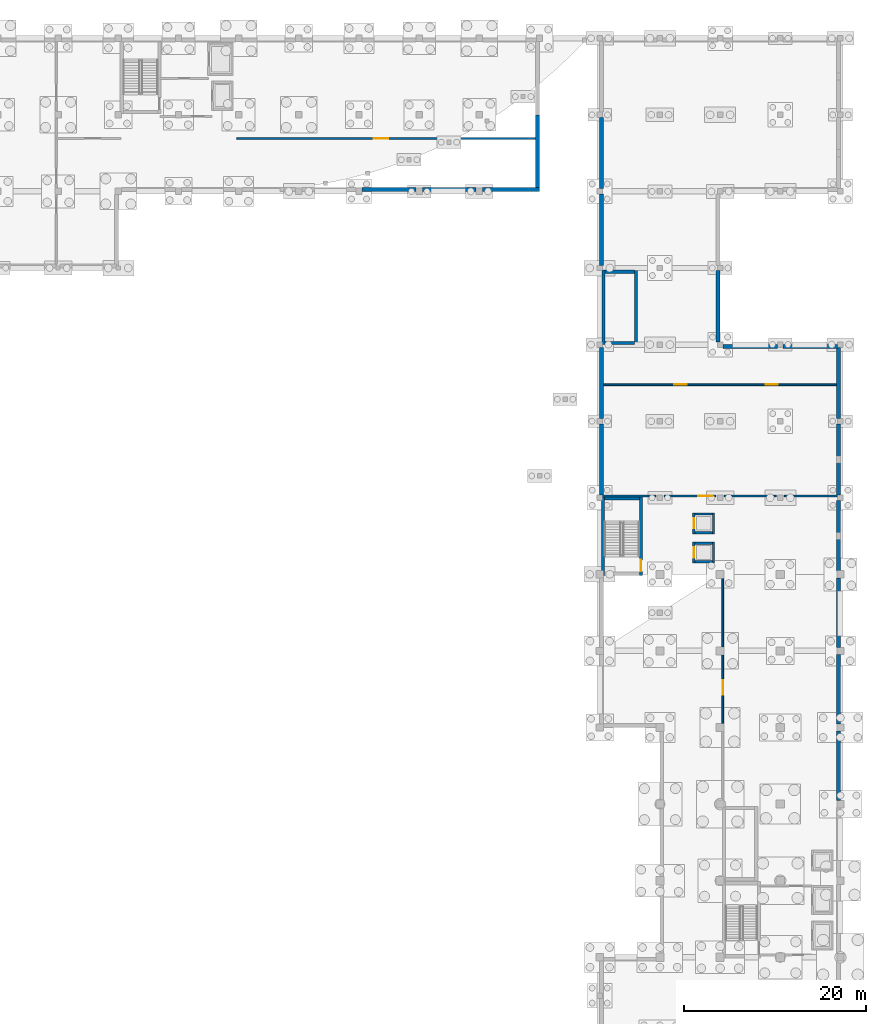
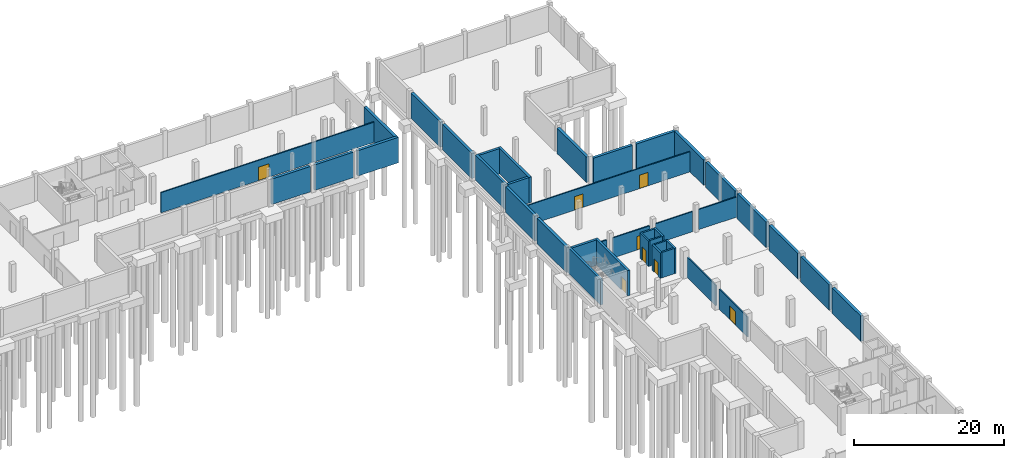
# One storey, part 17 of 25: 40 walls, 8 doors, 8 openings.
"""IFC4 building model written with IfcOpenShell, lengths in metres."""

from ifc_helpers import new_model, si_unit, direction, frame, frame_2d, origin, place, context, subcontext, project, spatial, rectangle, extrude, material, layer, layer_set, type_object, element, fill, save


model = new_model("IFC4")

# Units and contexts
model_context = context("Model", 3, precision=1e-05, world=origin(), true_north=direction((0.0, 1.0)))
body_context = subcontext(model_context, "Body", "Model", "MODEL_VIEW")
ifc_project = project(units=[si_unit("LENGTHUNIT", "METRE"), si_unit("AREAUNIT", "SQUARE_METRE"), si_unit("VOLUMEUNIT", "CUBIC_METRE"), si_unit("PLANEANGLEUNIT", "RADIAN"), si_unit("MASSUNIT", "GRAM", prefix="KILO")], contexts=[model_context])

# Site, building, storey
site_placement = place(None, origin())
site = spatial("IfcSite", under=ifc_project, at=site_placement, CompositionType="ELEMENT")
building_placement = place(site_placement, origin())
building = spatial("IfcBuilding", under=site, at=building_placement, Name="Qaldarim Faculty of Natural and Applied Sciences", CompositionType="ELEMENT")
storey_placement = place(building_placement, frame((0.0, 0.0, -4.5)))
storey = spatial("IfcBuildingStorey", under=building, at=storey_placement, Name="B01", CompositionType="ELEMENT", Elevation=-4.5)

# Walls
ifc_material_1 = material(Name="Concrete C40/50", Category="concrete")
ifc_layer_1 = layer(ifc_material_1, 0.419921875)
ifc_layer_set_1 = layer_set([ifc_layer_1], Name="Concrete C40/50")
wall_type_1 = type_object("IfcWallType", Name="BasementRetainingWall-420", PredefinedType="SOLIDWALL", material=ifc_layer_set_1)
for number, where, z_axis, x_axis, name in (
    (1, (125.7451171875, 101.010009765625, 0.0), (0.0, 0.0, 1.0), (1.0, 0.0, 0.0), "Basement retaining wall S X20Y13"),
    (2, (132.344970703125, 101.010009765625, 0.0), (0.0, 0.0, 1.0), (1.0, 0.0, 0.0), "Basement retaining wall S X21Y13"),
):
    element("IfcWall", number, at=place(storey_placement, frame(where, z_axis=z_axis, x_axis=x_axis)), inside=storey, type_object=wall_type_1, Name=name, PredefinedType="SOLIDWALL", context=body_context, shape_type="SweptSolid", body=[
        extrude(rectangle(XDim=5.909912109375, YDim=0.419921875, at=frame_2d((2.955078125, 0.0))), origin(), (0.0, 0.0, 1.0), 4.139892578125),
    ])
wall_1_placement = place(storey_placement, frame((138.945068359375, 101.010009765625, 0.0), z_axis=(0.0, 0.0, 1.0), x_axis=(1.0, 0.0, 0.0)))
element("IfcWall", 3, at=wall_1_placement, inside=storey, type_object=wall_type_1, Name="Basement retaining wall S X22Y13", PredefinedType="SOLIDWALL", context=body_context, shape_type="SweptSolid", body=[
    extrude(rectangle(XDim=6.2548828125, YDim=0.419921875, at=frame_2d((3.12744140625, 0.0))), origin(), (0.0, 0.0, 1.0), 4.139892578125),
])
wall_2_placement = place(storey_placement, frame((144.989990234375, 100.800048828125, 0.0), z_axis=(0.0, 0.0, 1.0), x_axis=(0.0, 1.0, 0.0)))
element("IfcWall", 4, at=wall_2_placement, inside=storey, type_object=wall_type_1, Name="Basement retaining wall E X22Y13", PredefinedType="SOLIDWALL", context=body_context, shape_type="SweptSolid", body=[
    extrude(rectangle(XDim=8.39990234375, YDim=0.419921875, at=frame_2d((4.199951171875, 0.0))), origin(), (0.0, 0.0, 1.0), 4.139892578125),
])
wall_3_placement = place(storey_placement, frame((152.010009765625, 75.304931640625, 0.0), z_axis=(0.0, 0.0, 1.0), x_axis=(0.0, -1.0, 0.0)))
element("IfcWall", 5, at=wall_3_placement, inside=storey, type_object=wall_type_1, Name="Basement retaining wall W X24Y09", PredefinedType="SOLIDWALL", context=body_context, shape_type="SweptSolid", body=[
    extrude(rectangle(XDim=7.809814453125, YDim=0.419921875, at=frame_2d((3.90478515625, 0.0))), origin(), (0.0, 0.0, 1.0), 4.139892578125),
])
wall_4_placement = place(storey_placement, frame((152.010009765625, 83.705078125, 0.0), z_axis=(0.0, 0.0, 1.0), x_axis=(0.0, -1.0, 0.0)))
element("IfcWall", 6, at=wall_4_placement, inside=storey, type_object=wall_type_1, Name="Basement retaining wall W X24Y10", PredefinedType="SOLIDWALL", context=body_context, shape_type="SweptSolid", body=[
    extrude(rectangle(XDim=7.81005859375, YDim=0.419921875, at=frame_2d((3.905029296875, 0.0))), origin(), (0.0, 0.0, 1.0), 4.139892578125),
])
wall_5_placement = place(storey_placement, frame((152.010009765625, 100.5048828125, 0.0), z_axis=(0.0, 0.0, 1.0), x_axis=(0.0, -1.0, 0.0)))
element("IfcWall", 7, at=wall_5_placement, inside=storey, type_object=wall_type_1, Name="Basement retaining wall W X24Y12", PredefinedType="SOLIDWALL", context=body_context, shape_type="SweptSolid", body=[
    extrude(rectangle(XDim=7.809814453125, YDim=0.419921875, at=frame_2d((3.90478515625, 0.0))), origin(), (0.0, 0.0, 1.0), 4.139892578125),
])
for number, where, z_axis, x_axis, name in (
    (8, (152.010009765625, 108.905029296875, 0.0), (0.0, 0.0, 1.0), (0.0, -1.0, 0.0), "Basement retaining wall W X24Y13"),
    (9, (164.7900390625, 84.294921875, 0.0), (0.0, 0.0, 1.0), (0.0, 1.0, 0.0), "Basement retaining wall E X25Y11"),
):
    element("IfcWall", number, at=place(storey_placement, frame(where, z_axis=z_axis, x_axis=x_axis)), inside=storey, type_object=wall_type_1, Name=name, PredefinedType="SOLIDWALL", context=body_context, shape_type="SweptSolid", body=[
        extrude(rectangle(XDim=7.81005859375, YDim=0.419921875, at=frame_2d((3.905029296875, 0.0))), origin(), (0.0, 0.0, 1.0), 4.139892578125),
    ])
wall_6_placement = place(storey_placement, frame((171.304931640625, 83.7900390625, 0.0), z_axis=(0.0, 0.0, 1.0), x_axis=(-1.0, 0.0, 0.0)))
element("IfcWall", 10, at=wall_6_placement, inside=storey, type_object=wall_type_1, Name="Basement retaining wall N X26Y10", PredefinedType="SOLIDWALL", context=body_context, shape_type="SweptSolid", body=[
    extrude(rectangle(XDim=6.010009765625, YDim=0.419921875, at=frame_2d((3.0048828125, 0.0))), origin(), (0.0, 0.0, 1.0), 4.139892578125),
])
for number, where, z_axis, x_axis, name in (
    (11, (177.989990234375, 33.9951171875, 0.0), (0.0, 0.0, 1.0), (0.0, 1.0, 0.0), "Basement retaining wall E X27Y05"),
    (12, (177.989990234375, 42.39501953125, 0.0), (0.0, 0.0, 1.0), (0.0, 1.0, 0.0), "Basement retaining wall E X27Y06"),
):
    element("IfcWall", number, at=place(storey_placement, frame(where, z_axis=z_axis, x_axis=x_axis)), inside=storey, type_object=wall_type_1, Name=name, PredefinedType="SOLIDWALL", context=body_context, shape_type="SweptSolid", body=[
        extrude(rectangle(XDim=7.60986328125, YDim=0.419921875, at=frame_2d((3.804931640625, 0.0))), origin(), (0.0, 0.0, 1.0), 4.139892578125),
    ])
wall_7_placement = place(storey_placement, frame((177.989990234375, 50.794921875, 0.0), z_axis=(0.0, 0.0, 1.0), x_axis=(0.0, 1.0, 0.0)))
element("IfcWall", 13, at=wall_7_placement, inside=storey, type_object=wall_type_1, Name="Basement retaining wall E X27Y07", PredefinedType="SOLIDWALL", context=body_context, shape_type="SweptSolid", body=[
    extrude(rectangle(XDim=7.610107421875, YDim=0.419921875, at=frame_2d((3.80517578125, 0.0))), origin(), (0.0, 0.0, 1.0), 4.139892578125),
])
wall_8_placement = place(storey_placement, frame((177.989990234375, 59.195068359375, 0.0), z_axis=(0.0, 0.0, 1.0), x_axis=(0.0, 1.0, 0.0)))
element("IfcWall", 14, at=wall_8_placement, inside=storey, type_object=wall_type_1, Name="Basement retaining wall E X27Y08", PredefinedType="SOLIDWALL", context=body_context, shape_type="SweptSolid", body=[
    extrude(rectangle(XDim=7.7099609375, YDim=0.419921875, at=frame_2d((3.85498046875, 0.0))), origin(), (0.0, 0.0, 1.0), 4.139892578125),
])
wall_9_placement = place(storey_placement, frame((177.989990234375, 67.4951171875, 0.0), z_axis=(0.0, 0.0, 1.0), x_axis=(0.0, 1.0, 0.0)))
element("IfcWall", 15, at=wall_9_placement, inside=storey, type_object=wall_type_1, Name="Basement retaining wall E X27Y09", PredefinedType="SOLIDWALL", context=body_context, shape_type="SweptSolid", body=[
    extrude(rectangle(XDim=7.809814453125, YDim=0.419921875, at=frame_2d((3.90478515625, 0.0))), origin(), (0.0, 0.0, 1.0), 4.139892578125),
])
wall_10_placement = place(storey_placement, frame((177.989990234375, 75.89501953125, 0.0), z_axis=(0.0, 0.0, 1.0), x_axis=(0.0, 1.0, 0.0)))
element("IfcWall", 16, at=wall_10_placement, inside=storey, type_object=wall_type_1, Name="Basement retaining wall E X27Y10", PredefinedType="SOLIDWALL", context=body_context, shape_type="SweptSolid", body=[
    extrude(rectangle(XDim=7.81005859375, YDim=0.419921875, at=frame_2d((3.905029296875, 0.0))), origin(), (0.0, 0.0, 1.0), 4.139892578125),
])
wall_11_placement = place(storey_placement, frame((177.905029296875, 83.7900390625, 0.0), z_axis=(0.0, 0.0, 1.0), x_axis=(-1.0, 0.0, 0.0)))
element("IfcWall", 17, at=wall_11_placement, inside=storey, type_object=wall_type_1, Name="Basement retaining wall N X27Y10", PredefinedType="SOLIDWALL", context=body_context, shape_type="SweptSolid", body=[
    extrude(rectangle(XDim=6.010009765625, YDim=0.419921875, at=frame_2d((3.0048828125, 0.0))), origin(), (0.0, 0.0, 1.0), 4.139892578125),
])
ifc_material_2 = material(Name="Concrete C50/60", Category="concrete")
ifc_layer_2 = layer(ifc_material_2, 0.360107421875)
ifc_layer_set_2 = layer_set([ifc_layer_2], Name="Concrete C50/60")
wall_type_2 = type_object("IfcWallType", Name="CoreShearWall-360", PredefinedType="SHEAR", material=ifc_layer_set_2)
wall_12_placement = place(storey_placement, frame((152.169921875, 58.68994140625, 0.0), z_axis=(0.0, 0.0, 1.0), x_axis=(0.0, 1.0, 0.0)))
element("IfcWall", 18, at=wall_12_placement, inside=storey, type_object=wall_type_2, Name="Core stair ST-C1 west shear wall B01", PredefinedType="SHEAR", context=body_context, shape_type="SweptSolid", body=[
    extrude(rectangle(XDim=8.6201171875, YDim=0.360107421875, at=frame_2d((4.31005859375, 0.0))), origin(), (0.0, 0.0, 1.0), 4.139892578125),
])

# Wall, opening, door
wall_13_placement = place(storey_placement, frame((156.330078125, 58.68994140625, 0.0), z_axis=(0.0, 0.0, 1.0), x_axis=(0.0, 1.0, 0.0)))
wall_13 = element("IfcWall", 19, at=wall_13_placement, inside=storey, type_object=wall_type_2, Name="Core stair ST-C1 east shear wall B01", PredefinedType="SHEAR", context=body_context, shape_type="SweptSolid", body=[
    extrude(rectangle(XDim=8.6201171875, YDim=0.360107421875, at=frame_2d((4.31005859375, 0.0))), origin(), (0.0, 0.0, 1.0), 4.139892578125),
])
opening_1_placement = place(wall_13_placement, frame((0.449951171875, 0.0, 0.0)))
opening_1 = element("IfcOpeningElement", 20, at=opening_1_placement, cuts=wall_13, Name="Opening ID04", PredefinedType="OPENING", context=body_context, shape_type="SweptSolid", body=[
    extrude(rectangle(XDim=1.25, YDim=2.14990234375, at=frame_2d((0.625, 1.074951171875))), frame((0.0, 0.18994140625, 0.0), z_axis=(0.0, -1.0, 0.0), x_axis=(1.0, 0.0, 0.0)), (0.0, 0.0, 1.0), 0.380126953125),
])
ifc_material_3 = material(Name="Architectural stainless steel 316", Category="steel")
door_type_1 = type_object("IfcDoorType", Name="StairEnclosureFireDoor-1250x2150", OperationType="NOTDEFINED", PredefinedType="DOOR", material=ifc_material_3)
door_1_placement = place(opening_1_placement, origin())
door_1 = element("IfcDoor", 21, at=door_1_placement, inside=storey, type_object=door_type_1, Name="Protected stair ST-C1 fire door D-B01-538", OperationType="SINGLE_SWING_LEFT", OverallHeight=2.14990234375, OverallWidth=1.25, PredefinedType="DOOR", context=body_context, shape_type="SweptSolid", body=[
    extrude(rectangle(XDim=1.25, YDim=2.14990234375, at=frame_2d((0.625, 1.074951171875))), frame((0.0, 0.02490234375, 0.0), z_axis=(0.0, -1.0, 0.0), x_axis=(1.0, 0.0, 0.0)), (0.0, 0.0, 1.0), 0.050048828125),
])
fill(opening_1, door_1)

# Walls
wall_14_placement = place(storey_placement, frame((152.35009765625, 67.1298828125, 0.0), z_axis=(0.0, 0.0, 1.0), x_axis=(1.0, 0.0, 0.0)))
element("IfcWall", 22, at=wall_14_placement, inside=storey, type_object=wall_type_2, Name="Core stair ST-C1 north shear wall B01", PredefinedType="SHEAR", context=body_context, shape_type="SweptSolid", body=[
    extrude(rectangle(XDim=3.7998046875, YDim=0.360107421875, at=frame_2d((1.89990234375, 0.0))), origin(), (0.0, 0.0, 1.0), 4.139892578125),
])
for number, where, z_axis, x_axis, name in (
    (23, (152.219970703125, 83.989990234375, 0.0), (0.0, 0.0, 1.0), (0.0, 1.0, 0.0), "Core stair ST-C2 west shear wall B01"),
    (24, (155.780029296875, 83.989990234375, 0.0), (0.0, 0.0, 1.0), (0.0, 1.0, 0.0), "Core stair ST-C2 east shear wall B01"),
):
    element("IfcWall", number, at=place(storey_placement, frame(where, z_axis=z_axis, x_axis=x_axis)), inside=storey, type_object=wall_type_2, Name=name, PredefinedType="SHEAR", context=body_context, shape_type="SweptSolid", body=[
        extrude(rectangle(XDim=8.169921875, YDim=0.360107421875, at=frame_2d((4.0849609375, 0.0))), origin(), (0.0, 0.0, 1.0), 4.139892578125),
    ])
for number, where, z_axis, x_axis, name in (
    (25, (152.39990234375, 91.97998046875, 0.0), (0.0, 0.0, 1.0), (1.0, 0.0, 0.0), "Core stair ST-C2 north shear wall B01"),
    (26, (152.39990234375, 84.169921875, 0.0), (0.0, 0.0, 1.0), (1.0, 0.0, 0.0), "Core stair ST-C2 south shear wall B01"),
):
    element("IfcWall", number, at=place(storey_placement, frame(where, z_axis=z_axis, x_axis=x_axis)), inside=storey, type_object=wall_type_2, Name=name, PredefinedType="SHEAR", context=body_context, shape_type="SweptSolid", body=[
        extrude(rectangle(XDim=3.2001953125, YDim=0.360107421875, at=frame_2d((1.60009765625, 0.0))), origin(), (0.0, 0.0, 1.0), 4.139892578125),
    ])

# Wall, opening, door
ifc_layer_3 = layer(ifc_material_1, 0.179931640625)
ifc_layer_set_3 = layer_set([ifc_layer_3], Name="Concrete C40/50")
wall_type_3 = type_object("IfcWallType", Name="LabFireCompartmentWall-180", PredefinedType="SOLIDWALL", material=ifc_layer_set_3)
wall_15_placement = place(storey_placement, frame((112.0, 106.60009765625, 0.0), z_axis=(0.0, 0.0, 1.0), x_axis=(1.0, 0.0, 0.0)))
wall_15 = element("IfcWall", 27, at=wall_15_placement, inside=storey, type_object=wall_type_3, Name="Interior partition PRT-B01-V4B-CLDN", PredefinedType="SOLIDWALL", context=body_context, shape_type="SweptSolid", body=[
    extrude(rectangle(XDim=33.0, YDim=0.179931640625, at=frame_2d((16.5, 0.0))), origin(), (0.0, 0.0, 1.0), 3.2900390625),
])
opening_2_placement = place(wall_15_placement, frame((15.0, 0.0, 0.0)))
opening_2 = element("IfcOpeningElement", 28, at=opening_2_placement, cuts=wall_15, Name="Opening ID06", PredefinedType="OPENING", context=body_context, shape_type="SweptSolid", body=[
    extrude(rectangle(XDim=1.60009765625, YDim=2.199951171875, at=frame_2d((0.800048828125, 1.10009765625))), frame((0.0, 0.099853515625, 0.0), z_axis=(0.0, -1.0, 0.0), x_axis=(1.0, 0.0, 0.0)), (0.0, 0.0, 1.0), 0.199951171875),
])
door_type_2 = type_object("IfcDoorType", Name="LabEquipmentDoubleDoor-1600x2200", OperationType="NOTDEFINED", PredefinedType="DOOR", material=ifc_material_3)
door_2_placement = place(opening_2_placement, origin())
door_2 = element("IfcDoor", 29, at=door_2_placement, inside=storey, type_object=door_type_2, Name="Interior door D-B01-160", OperationType="DOUBLE_DOOR_SINGLE_SWING", OverallHeight=2.199951171875, OverallWidth=1.60009765625, PredefinedType="DOOR", context=body_context, shape_type="SweptSolid", body=[
    extrude(rectangle(XDim=1.60009765625, YDim=2.199951171875, at=frame_2d((0.800048828125, 1.10009765625))), frame((0.0, 0.02490234375, 0.0), z_axis=(0.0, -1.0, 0.0), x_axis=(1.0, 0.0, 0.0)), (0.0, 0.0, 1.0), 0.050048828125),
])
fill(opening_2, door_2)

# Wall
wall_16_placement = place(storey_placement, frame((152.0, 67.39990234375, 0.0), z_axis=(0.0, 0.0, 1.0), x_axis=(1.0, 0.0, 0.0)))
element("IfcWall", 30, at=wall_16_placement, inside=storey, type_object=wall_type_3, Name="Interior partition PRT-B01-V3B-S-S1", PredefinedType="SOLIDWALL", context=body_context, shape_type="SweptSolid", body=[
    extrude(rectangle(XDim=5.949951171875, YDim=0.179931640625, at=frame_2d((2.97509765625, 0.0))), origin(), (0.0, 0.0, 1.0), 3.2900390625),
])

# Wall, opening, door
wall_17_placement = place(storey_placement, frame((158.85009765625, 67.39990234375, 0.0), z_axis=(0.0, 0.0, 1.0), x_axis=(1.0, 0.0, 0.0)))
wall_17 = element("IfcWall", 31, at=wall_17_placement, inside=storey, type_object=wall_type_3, Name="Interior partition PRT-B01-V3B-S-S2", PredefinedType="SOLIDWALL", context=body_context, shape_type="SweptSolid", body=[
    extrude(rectangle(XDim=5.699951171875, YDim=0.179931640625, at=frame_2d((2.85009765625, 0.0))), origin(), (0.0, 0.0, 1.0), 3.27490234375),
])
opening_3_placement = place(wall_17_placement, frame((3.75, 0.0, 0.0)))
opening_3 = element("IfcOpeningElement", 32, at=opening_3_placement, cuts=wall_17, Name="Opening ID06", PredefinedType="OPENING", context=body_context, shape_type="SweptSolid", body=[
    extrude(rectangle(XDim=1.60009765625, YDim=2.199951171875, at=frame_2d((0.800048828125, 1.10009765625))), frame((0.0, 0.099853515625, 0.0), z_axis=(0.0, -1.0, 0.0), x_axis=(1.0, 0.0, 0.0)), (0.0, 0.0, 1.0), 0.199951171875),
])
door_3_placement = place(opening_3_placement, origin())
door_3 = element("IfcDoor", 33, at=door_3_placement, inside=storey, type_object=door_type_2, Name="Interior door D-B01-161", OperationType="DOUBLE_DOOR_SINGLE_SWING", OverallHeight=2.199951171875, OverallWidth=1.60009765625, PredefinedType="DOOR", context=body_context, shape_type="SweptSolid", body=[
    extrude(rectangle(XDim=1.60009765625, YDim=2.199951171875, at=frame_2d((0.800048828125, 1.10009765625))), frame((0.0, 0.02490234375, 0.0), z_axis=(0.0, -1.0, 0.0), x_axis=(1.0, 0.0, 0.0)), (0.0, 0.0, 1.0), 0.050048828125),
])
fill(opening_3, door_3)

# Walls
wall_18_placement = place(storey_placement, frame((165.449951171875, 67.39990234375, 0.0), z_axis=(0.0, 0.0, 1.0), x_axis=(1.0, 0.0, 0.0)))
element("IfcWall", 34, at=wall_18_placement, inside=storey, type_object=wall_type_3, Name="Interior partition PRT-B01-V3B-S-S3", PredefinedType="SOLIDWALL", context=body_context, shape_type="SweptSolid", body=[
    extrude(rectangle(XDim=5.699951171875, YDim=0.179931640625, at=frame_2d((2.85009765625, 0.0))), origin(), (0.0, 0.0, 1.0), 3.27490234375),
])
wall_19_placement = place(storey_placement, frame((172.050048828125, 67.39990234375, 0.0), z_axis=(0.0, 0.0, 1.0), x_axis=(1.0, 0.0, 0.0)))
element("IfcWall", 35, at=wall_19_placement, inside=storey, type_object=wall_type_3, Name="Interior partition PRT-B01-V3B-S-S4", PredefinedType="SOLIDWALL", context=body_context, shape_type="SweptSolid", body=[
    extrude(rectangle(XDim=5.949951171875, YDim=0.179931640625, at=frame_2d((2.97509765625, 0.0))), origin(), (0.0, 0.0, 1.0), 3.27490234375),
])

# Wall, opening, door
wall_20_placement = place(storey_placement, frame((165.300048828125, 42.449951171875, 0.0), z_axis=(0.0, 0.0, 1.0), x_axis=(0.0, 1.0, 0.0)))
wall_20 = element("IfcWall", 36, at=wall_20_placement, inside=storey, type_object=wall_type_3, Name="Interior partition PRT-B01-V5B-W-S2", PredefinedType="SOLIDWALL", context=body_context, shape_type="SweptSolid", body=[
    extrude(rectangle(XDim=7.5, YDim=0.179931640625, at=frame_2d((3.75, 0.0))), origin(), (0.0, 0.0, 1.0), 3.2900390625),
])
opening_4_placement = place(wall_20_placement, frame((3.14990234375, 0.0, 0.0)))
opening_4 = element("IfcOpeningElement", 37, at=opening_4_placement, cuts=wall_20, Name="Opening ID06", PredefinedType="OPENING", context=body_context, shape_type="SweptSolid", body=[
    extrude(rectangle(XDim=1.60009765625, YDim=2.199951171875, at=frame_2d((0.800048828125, 1.10009765625))), frame((0.0, 0.099853515625, 0.0), z_axis=(0.0, -1.0, 0.0), x_axis=(1.0, 0.0, 0.0)), (0.0, 0.0, 1.0), 0.199951171875),
])
door_4_placement = place(opening_4_placement, origin())
door_4 = element("IfcDoor", 38, at=door_4_placement, inside=storey, type_object=door_type_2, Name="Interior door D-B01-163", OperationType="DOUBLE_DOOR_SINGLE_SWING", OverallHeight=2.199951171875, OverallWidth=1.60009765625, PredefinedType="DOOR", context=body_context, shape_type="SweptSolid", body=[
    extrude(rectangle(XDim=1.60009765625, YDim=2.199951171875, at=frame_2d((0.800048828125, 1.10009765625))), frame((0.0, 0.02490234375, 0.0), z_axis=(0.0, -1.0, 0.0), x_axis=(1.0, 0.0, 0.0)), (0.0, 0.0, 1.0), 0.050048828125),
])
fill(opening_4, door_4)

# Wall
wall_21_placement = place(storey_placement, frame((165.300048828125, 50.85009765625, 0.0), z_axis=(0.0, 0.0, 1.0), x_axis=(0.0, 1.0, 0.0)))
element("IfcWall", 39, at=wall_21_placement, inside=storey, type_object=wall_type_3, Name="Interior partition PRT-B01-V5B-W-S3", PredefinedType="SOLIDWALL", context=body_context, shape_type="SweptSolid", body=[
    extrude(rectangle(XDim=7.64990234375, YDim=0.179931640625, at=frame_2d((3.824951171875, 0.0))), origin(), (0.0, 0.0, 1.0), 3.2900390625),
])

# Wall, openings, doors
wall_22_placement = place(storey_placement, frame((152.0, 79.60009765625, 0.0), z_axis=(0.0, 0.0, 1.0), x_axis=(1.0, 0.0, 0.0)))
wall_22 = element("IfcWall", 40, at=wall_22_placement, inside=storey, type_object=wall_type_3, Name="Interior partition PRT-B01-B01-STKD", PredefinedType="SOLIDWALL", context=body_context, shape_type="SweptSolid", body=[
    extrude(rectangle(XDim=26.0, YDim=0.179931640625, at=frame_2d((13.0, 0.0))), origin(), (0.0, 0.0, 1.0), 3.2900390625),
])
opening_5_placement = place(wall_22_placement, frame((8.0, 0.0, 0.0)))
opening_5 = element("IfcOpeningElement", 41, at=opening_5_placement, cuts=wall_22, Name="Opening ID10", PredefinedType="OPENING", context=body_context, shape_type="SweptSolid", body=[
    extrude(rectangle(XDim=1.35009765625, YDim=2.199951171875, at=frame_2d((0.675048828125, 1.10009765625))), frame((0.0, 0.099853515625, 0.0), z_axis=(0.0, -1.0, 0.0), x_axis=(1.0, 0.0, 0.0)), (0.0, 0.0, 1.0), 0.199951171875),
])
opening_6_placement = place(wall_22_placement, frame((18.0, 0.0, 0.0)))
opening_6 = element("IfcOpeningElement", 42, at=opening_6_placement, cuts=wall_22, Name="Opening ID10", PredefinedType="OPENING", context=body_context, shape_type="SweptSolid", body=[
    extrude(rectangle(XDim=1.35009765625, YDim=2.199951171875, at=frame_2d((0.675048828125, 1.10009765625))), frame((0.0, 0.099853515625, 0.0), z_axis=(0.0, -1.0, 0.0), x_axis=(1.0, 0.0, 0.0)), (0.0, 0.0, 1.0), 0.199951171875),
])
door_type_3 = type_object("IfcDoorType", Name="ArchiveVaultDoor-1350x2200", OperationType="NOTDEFINED", PredefinedType="DOOR", material=ifc_material_3)
door_5_placement = place(opening_5_placement, origin())
door_5 = element("IfcDoor", 43, at=door_5_placement, inside=storey, type_object=door_type_3, Name="Interior door D-B01-300", OperationType="SINGLE_SWING_LEFT", OverallHeight=2.199951171875, OverallWidth=1.35009765625, PredefinedType="DOOR", context=body_context, shape_type="SweptSolid", body=[
    extrude(rectangle(XDim=1.35009765625, YDim=2.199951171875, at=frame_2d((0.675048828125, 1.10009765625))), frame((0.0, 0.02490234375, 0.0), z_axis=(0.0, -1.0, 0.0), x_axis=(1.0, 0.0, 0.0)), (0.0, 0.0, 1.0), 0.050048828125),
])
fill(opening_5, door_5)
door_6_placement = place(opening_6_placement, origin())
door_6 = element("IfcDoor", 44, at=door_6_placement, inside=storey, type_object=door_type_3, Name="Interior door D-B01-301", OperationType="SINGLE_SWING_RIGHT", OverallHeight=2.199951171875, OverallWidth=1.35009765625, PredefinedType="DOOR", context=body_context, shape_type="SweptSolid", body=[
    extrude(rectangle(XDim=1.35009765625, YDim=2.199951171875, at=frame_2d((0.675048828125, 1.10009765625))), frame((0.0, 0.02490234375, 0.0), z_axis=(0.0, -1.0, 0.0), x_axis=(1.0, 0.0, 0.0)), (0.0, 0.0, 1.0), 0.050048828125),
])
fill(opening_6, door_6)

# Wall, opening, door
ifc_layer_4 = layer(ifc_material_1, 0.25)
ifc_layer_set_4 = layer_set([ifc_layer_4], Name="Concrete C40/50")
wall_type_4 = type_object("IfcWallType", Name="LiftShaftWall-250", PredefinedType="SHEAR", material=ifc_layer_set_4)
wall_23_placement = place(storey_placement, frame((162.125, 60.050048828125, 0.0), z_axis=(0.0, 0.0, 1.0), x_axis=(0.0, 1.0, 0.0)))
wall_23 = element("IfcWall", 45, at=wall_23_placement, inside=storey, type_object=wall_type_4, Name="Lift LF-C1 front shaft wall B01", PredefinedType="SHEAR", context=body_context, shape_type="SweptSolid", body=[
    extrude(rectangle(XDim=2.300048828125, YDim=0.25, at=frame_2d((1.14990234375, 0.0))), origin(), (0.0, 0.0, 1.0), 4.139892578125),
])
opening_7_placement = place(wall_23_placement, frame((0.60009765625, 0.0, 0.0)))
opening_7 = element("IfcOpeningElement", 46, at=opening_7_placement, cuts=wall_23, Name="Opening LD01", PredefinedType="OPENING", context=body_context, shape_type="SweptSolid", body=[
    extrude(rectangle(XDim=1.10009765625, YDim=2.14990234375, at=frame_2d((0.550048828125, 1.074951171875))), frame((0.0, 0.135009765625, 0.0), z_axis=(0.0, -1.0, 0.0), x_axis=(1.0, 0.0, 0.0)), (0.0, 0.0, 1.0), 0.27001953125),
])
door_type_4 = type_object("IfcDoorType", Name="LiftLandingSlidingDoor-1100x2150", OperationType="NOTDEFINED", PredefinedType="DOOR", material=ifc_material_3)
door_7_placement = place(opening_7_placement, origin())
door_7 = element("IfcDoor", 47, at=door_7_placement, inside=storey, type_object=door_type_4, Name="Lift landing sliding door LF-C1 D-B01-650", OperationType="SLIDING_TO_LEFT", OverallHeight=2.14990234375, OverallWidth=1.10009765625, PredefinedType="DOOR", context=body_context, shape_type="SweptSolid", body=[
    extrude(rectangle(XDim=1.10009765625, YDim=2.14990234375, at=frame_2d((0.550048828125, 1.074951171875))), frame((0.0, 0.02490234375, 0.0), z_axis=(0.0, -1.0, 0.0), x_axis=(1.0, 0.0, 0.0)), (0.0, 0.0, 1.0), 0.050048828125),
])
fill(opening_7, door_7)

# Walls
wall_24_placement = place(storey_placement, frame((164.27490234375, 60.050048828125, 0.0), z_axis=(0.0, 0.0, 1.0), x_axis=(0.0, 1.0, 0.0)))
element("IfcWall", 48, at=wall_24_placement, inside=storey, type_object=wall_type_4, Name="Lift LF-C1 rear shaft wall B01", PredefinedType="SHEAR", context=body_context, shape_type="SweptSolid", body=[
    extrude(rectangle(XDim=2.300048828125, YDim=0.25, at=frame_2d((1.14990234375, 0.0))), origin(), (0.0, 0.0, 1.0), 4.139892578125),
])
for number, where, z_axis, x_axis, name in (
    (49, (162.25, 60.175048828125, 0.0), (0.0, 0.0, 1.0), (1.0, 0.0, 0.0), "Lift LF-C1 south shaft wall B01"),
    (50, (162.25, 62.22509765625, 0.0), (0.0, 0.0, 1.0), (1.0, 0.0, 0.0), "Lift LF-C1 north shaft wall B01"),
):
    element("IfcWall", number, at=place(storey_placement, frame(where, z_axis=z_axis, x_axis=x_axis)), inside=storey, type_object=wall_type_4, Name=name, PredefinedType="SHEAR", context=body_context, shape_type="SweptSolid", body=[
        extrude(rectangle(XDim=1.89990234375, YDim=0.25, at=frame_2d((0.949951171875, 0.0))), origin(), (0.0, 0.0, 1.0), 4.139892578125),
    ])

# Wall, opening, door
wall_25_placement = place(storey_placement, frame((162.125, 63.25, 0.0), z_axis=(0.0, 0.0, 1.0), x_axis=(0.0, 1.0, 0.0)))
wall_25 = element("IfcWall", 51, at=wall_25_placement, inside=storey, type_object=wall_type_4, Name="Lift LF-C2 front shaft wall B01", PredefinedType="SHEAR", context=body_context, shape_type="SweptSolid", body=[
    extrude(rectangle(XDim=2.300048828125, YDim=0.25, at=frame_2d((1.14990234375, 0.0))), origin(), (0.0, 0.0, 1.0), 4.139892578125),
])
opening_8_placement = place(wall_25_placement, frame((0.60009765625, 0.0, 0.0)))
opening_8 = element("IfcOpeningElement", 52, at=opening_8_placement, cuts=wall_25, Name="Opening LD01", PredefinedType="OPENING", context=body_context, shape_type="SweptSolid", body=[
    extrude(rectangle(XDim=1.10009765625, YDim=2.14990234375, at=frame_2d((0.550048828125, 1.074951171875))), frame((0.0, 0.135009765625, 0.0), z_axis=(0.0, -1.0, 0.0), x_axis=(1.0, 0.0, 0.0)), (0.0, 0.0, 1.0), 0.27001953125),
])
door_8_placement = place(opening_8_placement, origin())
door_8 = element("IfcDoor", 53, at=door_8_placement, inside=storey, type_object=door_type_4, Name="Lift landing sliding door LF-C2 D-B01-656", OperationType="SLIDING_TO_LEFT", OverallHeight=2.14990234375, OverallWidth=1.10009765625, PredefinedType="DOOR", context=body_context, shape_type="SweptSolid", body=[
    extrude(rectangle(XDim=1.10009765625, YDim=2.14990234375, at=frame_2d((0.550048828125, 1.074951171875))), frame((0.0, 0.02490234375, 0.0), z_axis=(0.0, -1.0, 0.0), x_axis=(1.0, 0.0, 0.0)), (0.0, 0.0, 1.0), 0.050048828125),
])
fill(opening_8, door_8)

# Walls
wall_26_placement = place(storey_placement, frame((164.27490234375, 63.25, 0.0), z_axis=(0.0, 0.0, 1.0), x_axis=(0.0, 1.0, 0.0)))
element("IfcWall", 54, at=wall_26_placement, inside=storey, type_object=wall_type_4, Name="Lift LF-C2 rear shaft wall B01", PredefinedType="SHEAR", context=body_context, shape_type="SweptSolid", body=[
    extrude(rectangle(XDim=2.300048828125, YDim=0.25, at=frame_2d((1.14990234375, 0.0))), origin(), (0.0, 0.0, 1.0), 4.139892578125),
])
for number, where, z_axis, x_axis, name in (
    (55, (162.25, 63.375, 0.0), (0.0, 0.0, 1.0), (1.0, 0.0, 0.0), "Lift LF-C2 south shaft wall B01"),
    (56, (162.25, 65.425048828125, 0.0), (0.0, 0.0, 1.0), (1.0, 0.0, 0.0), "Lift LF-C2 north shaft wall B01"),
):
    element("IfcWall", number, at=place(storey_placement, frame(where, z_axis=z_axis, x_axis=x_axis)), inside=storey, type_object=wall_type_4, Name=name, PredefinedType="SHEAR", context=body_context, shape_type="SweptSolid", body=[
        extrude(rectangle(XDim=1.89990234375, YDim=0.25, at=frame_2d((0.949951171875, 0.0))), origin(), (0.0, 0.0, 1.0), 4.139892578125),
    ])

save(model, "model.ifc")
